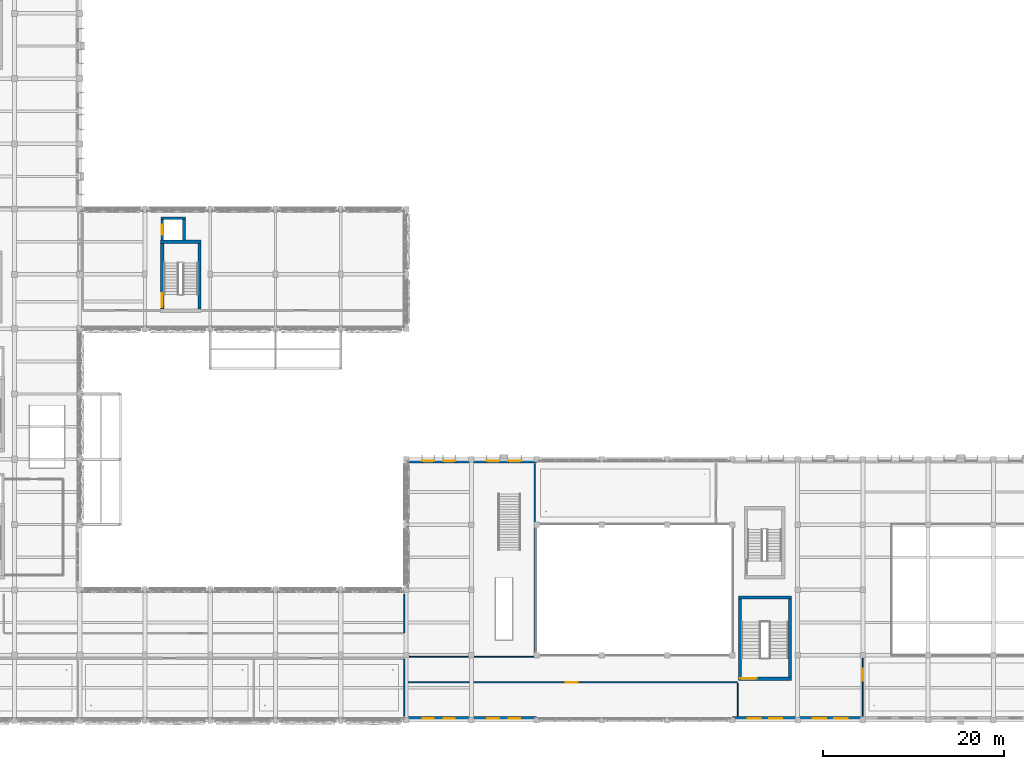
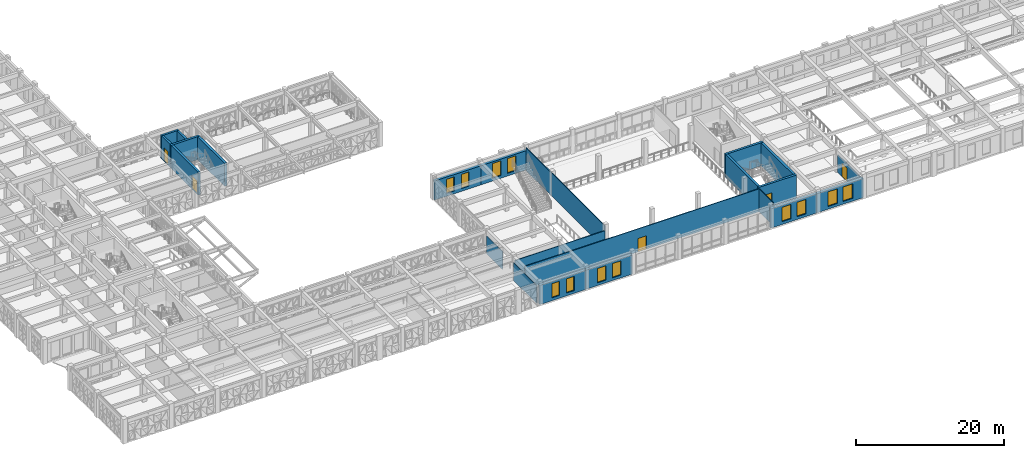
# One storey, part 44 of 88: 23 walls, 12 windows, 5 doors, 17 openings.
"""IFC4 building model written with IfcOpenShell, lengths in metres."""

from ifc_helpers import new_model, si_unit, direction, frame, frame_2d, origin, place, context, subcontext, project, spatial, rectangle, extrude, material, layer, layer_set, type_object, element, fill, save


model = new_model("IFC4")

# Units and contexts
model_context = context("Model", 3, precision=1e-05, world=origin(), true_north=direction((0.0, 1.0)))
body_context = subcontext(model_context, "Body", "Model", "MODEL_VIEW")
ifc_project = project(units=[si_unit("LENGTHUNIT", "METRE"), si_unit("AREAUNIT", "SQUARE_METRE"), si_unit("VOLUMEUNIT", "CUBIC_METRE"), si_unit("PLANEANGLEUNIT", "RADIAN"), si_unit("MASSUNIT", "GRAM", prefix="KILO")], contexts=[model_context])

# Site, building, storey
site_placement = place(None, origin())
site = spatial("IfcSite", under=ifc_project, at=site_placement, CompositionType="ELEMENT")
building_placement = place(site_placement, origin())
building = spatial("IfcBuilding", under=site, at=building_placement, Name="Alvorim Cloister Faculty of Sciences", CompositionType="ELEMENT")
storey_placement = place(building_placement, frame((0.0, 0.0, 4.5)))
storey = spatial("IfcBuildingStorey", under=building, at=storey_placement, Name="L01", CompositionType="ELEMENT", Elevation=4.5)

# Wall, openings, windows
ifc_material_1 = material(Name="Maua Grey Granite Stone", Category="masonry")
ifc_layer_1 = layer(ifc_material_1, 0.419921875)
ifc_layer_set_1 = layer_set([ifc_layer_1], Name="Maua Grey Granite Stone")
wall_type_1 = type_object("IfcWallType", Name="WL-EXT-GRN-420", PredefinedType="SOLIDWALL", material=ifc_layer_set_1)
wall_1_placement = place(storey_placement, frame((64.800048828125, 28.590087890625, 0.0), z_axis=(0.0, 0.0, 1.0), x_axis=(1.0, 0.0, 0.0)))
wall_1 = element("IfcWall", 1, at=wall_1_placement, inside=storey, type_object=wall_type_1, Name="L01 Exterior Wall WL-0128", PredefinedType="SOLIDWALL", context=body_context, shape_type="SweptSolid", body=[
    extrude(rectangle(XDim=7.199951171875, YDim=0.419921875, at=frame_2d((3.60009765625, 0.0))), origin(), (0.0, 0.0, 1.0), 3.159912109375),
])
opening_1_placement = place(wall_1_placement, frame((1.85009765625, 0.0, 0.449951171875)))
opening_1 = element("IfcOpeningElement", 2, at=opening_1_placement, cuts=wall_1, Name="Opening W-22", PredefinedType="OPENING", context=body_context, shape_type="SweptSolid", body=[
    extrude(rectangle(XDim=1.199951171875, YDim=2.35009765625, at=frame_2d((0.60009765625, 1.175048828125))), frame((0.0, 0.221923828125, 0.0), z_axis=(0.0, -1.0, 0.0), x_axis=(1.0, 0.0, 0.0)), (0.0, 0.0, 1.0), 0.44384765625),
])
opening_2_placement = place(wall_1_placement, frame((4.14990234375, 0.0, 0.449951171875)))
opening_2 = element("IfcOpeningElement", 3, at=opening_2_placement, cuts=wall_1, Name="Opening W-22", PredefinedType="OPENING", context=body_context, shape_type="SweptSolid", body=[
    extrude(rectangle(XDim=1.199951171875, YDim=2.35009765625, at=frame_2d((0.60009765625, 1.175048828125))), frame((0.0, 0.221923828125, 0.0), z_axis=(0.0, -1.0, 0.0), x_axis=(1.0, 0.0, 0.0)), (0.0, 0.0, 1.0), 0.44384765625),
])
ifc_material_2 = material(Name="Double Low-E Laminated Glass", Category="glass")
window_type_1 = type_object("IfcWindowType", Name="WN-OFF-1200x2350", PartitioningType="SINGLE_PANEL", PredefinedType="WINDOW", material=ifc_material_2)
window_1_placement = place(opening_1_placement, origin())
window_1 = element("IfcWindow", 4, at=window_1_placement, inside=storey, type_object=window_type_1, Name="L01 Gothic Lancet Window WN-0172", OverallHeight=2.35009765625, OverallWidth=1.199951171875, PartitioningType="SINGLE_PANEL", PredefinedType="WINDOW", context=body_context, shape_type="SweptSolid", body=[
    extrude(rectangle(XDim=1.199951171875, YDim=2.35009765625, at=frame_2d((0.60009765625, 1.175048828125))), frame((0.0, 0.030029296875, 0.0), z_axis=(0.0, -1.0, 0.0), x_axis=(1.0, 0.0, 0.0)), (0.0, 0.0, 1.0), 0.06005859375),
])
fill(opening_1, window_1)
window_2_placement = place(opening_2_placement, origin())
window_2 = element("IfcWindow", 5, at=window_2_placement, inside=storey, type_object=window_type_1, Name="L01 Gothic Lancet Window WN-0173", OverallHeight=2.35009765625, OverallWidth=1.199951171875, PartitioningType="SINGLE_PANEL", PredefinedType="WINDOW", context=body_context, shape_type="SweptSolid", body=[
    extrude(rectangle(XDim=1.199951171875, YDim=2.35009765625, at=frame_2d((0.60009765625, 1.175048828125))), frame((0.0, 0.030029296875, 0.0), z_axis=(0.0, -1.0, 0.0), x_axis=(1.0, 0.0, 0.0)), (0.0, 0.0, 1.0), 0.06005859375),
])
fill(opening_2, window_2)

wall_2_placement = place(storey_placement, frame((72.0, 28.590087890625, 0.0), z_axis=(0.0, 0.0, 1.0), x_axis=(1.0, 0.0, 0.0)))
wall_2 = element("IfcWall", 6, at=wall_2_placement, inside=storey, type_object=wall_type_1, Name="L01 Exterior Wall WL-0129", PredefinedType="SOLIDWALL", context=body_context, shape_type="SweptSolid", body=[
    extrude(rectangle(XDim=7.199951171875, YDim=0.419921875, at=frame_2d((3.60009765625, 0.0))), origin(), (0.0, 0.0, 1.0), 3.159912109375),
])
opening_3_placement = place(wall_2_placement, frame((1.75, 0.0, 0.449951171875)))
opening_3 = element("IfcOpeningElement", 7, at=opening_3_placement, cuts=wall_2, Name="Opening W-18", PredefinedType="OPENING", context=body_context, shape_type="SweptSolid", body=[
    extrude(rectangle(XDim=1.35009765625, YDim=2.449951171875, at=frame_2d((0.675048828125, 1.22509765625))), frame((0.0, 0.221923828125, 0.0), z_axis=(0.0, -1.0, 0.0), x_axis=(1.0, 0.0, 0.0)), (0.0, 0.0, 1.0), 0.44384765625),
])
opening_4_placement = place(wall_2_placement, frame((4.10009765625, 0.0, 0.449951171875)))
opening_4 = element("IfcOpeningElement", 8, at=opening_4_placement, cuts=wall_2, Name="Opening W-18", PredefinedType="OPENING", context=body_context, shape_type="SweptSolid", body=[
    extrude(rectangle(XDim=1.35009765625, YDim=2.449951171875, at=frame_2d((0.675048828125, 1.22509765625))), frame((0.0, 0.221923828125, 0.0), z_axis=(0.0, -1.0, 0.0), x_axis=(1.0, 0.0, 0.0)), (0.0, 0.0, 1.0), 0.44384765625),
])
window_type_2 = type_object("IfcWindowType", Name="WN-LAB-1350x2450", PartitioningType="SINGLE_PANEL", PredefinedType="WINDOW", material=ifc_material_2)
window_3_placement = place(opening_3_placement, origin())
window_3 = element("IfcWindow", 9, at=window_3_placement, inside=storey, type_object=window_type_2, Name="L01 Gothic Lancet Window WN-0174", OverallHeight=2.449951171875, OverallWidth=1.35009765625, PartitioningType="SINGLE_PANEL", PredefinedType="WINDOW", context=body_context, shape_type="SweptSolid", body=[
    extrude(rectangle(XDim=1.35009765625, YDim=2.449951171875, at=frame_2d((0.675048828125, 1.22509765625))), frame((0.0, 0.030029296875, 0.0), z_axis=(0.0, -1.0, 0.0), x_axis=(1.0, 0.0, 0.0)), (0.0, 0.0, 1.0), 0.06005859375),
])
fill(opening_3, window_3)
window_4_placement = place(opening_4_placement, origin())
window_4 = element("IfcWindow", 10, at=window_4_placement, inside=storey, type_object=window_type_2, Name="L01 Gothic Lancet Window WN-0175", OverallHeight=2.449951171875, OverallWidth=1.35009765625, PartitioningType="SINGLE_PANEL", PredefinedType="WINDOW", context=body_context, shape_type="SweptSolid", body=[
    extrude(rectangle(XDim=1.35009765625, YDim=2.449951171875, at=frame_2d((0.675048828125, 1.22509765625))), frame((0.0, 0.030029296875, 0.0), z_axis=(0.0, -1.0, 0.0), x_axis=(1.0, 0.0, 0.0)), (0.0, 0.0, 1.0), 0.06005859375),
])
fill(opening_4, window_4)

wall_3_placement = place(storey_placement, frame((108.0, 0.2099609375, 0.0), z_axis=(0.0, 0.0, 1.0), x_axis=(1.0, 0.0, 0.0)))
wall_3 = element("IfcWall", 11, at=wall_3_placement, inside=storey, type_object=wall_type_1, Name="L01 Exterior Wall WL-0150", PredefinedType="SOLIDWALL", context=body_context, shape_type="SweptSolid", body=[
    extrude(rectangle(XDim=7.199951171875, YDim=0.419921875, at=frame_2d((3.60009765625, 0.0))), origin(), (0.0, 0.0, 1.0), 3.159912109375),
])
opening_5_placement = place(wall_3_placement, frame((1.64990234375, 0.0, 0.449951171875)))
opening_5 = element("IfcOpeningElement", 12, at=opening_5_placement, cuts=wall_3, Name="Opening W-19", PredefinedType="OPENING", context=body_context, shape_type="SweptSolid", body=[
    extrude(rectangle(XDim=1.5, YDim=2.39990234375, at=frame_2d((0.75, 1.199951171875))), frame((0.0, 0.221923828125, 0.0), z_axis=(0.0, -1.0, 0.0), x_axis=(1.0, 0.0, 0.0)), (0.0, 0.0, 1.0), 0.44384765625),
])
opening_6_placement = place(wall_3_placement, frame((4.050048828125, 0.0, 0.449951171875)))
opening_6 = element("IfcOpeningElement", 13, at=opening_6_placement, cuts=wall_3, Name="Opening W-19", PredefinedType="OPENING", context=body_context, shape_type="SweptSolid", body=[
    extrude(rectangle(XDim=1.5, YDim=2.39990234375, at=frame_2d((0.75, 1.199951171875))), frame((0.0, 0.221923828125, 0.0), z_axis=(0.0, -1.0, 0.0), x_axis=(1.0, 0.0, 0.0)), (0.0, 0.0, 1.0), 0.44384765625),
])
window_type_3 = type_object("IfcWindowType", Name="WN-OFF-1500x2400", PartitioningType="SINGLE_PANEL", PredefinedType="WINDOW", material=ifc_material_2)
window_5_placement = place(opening_5_placement, origin())
window_5 = element("IfcWindow", 14, at=window_5_placement, inside=storey, type_object=window_type_3, Name="L01 Gothic Lancet Window WN-0216", OverallHeight=2.39990234375, OverallWidth=1.5, PartitioningType="SINGLE_PANEL", PredefinedType="WINDOW", context=body_context, shape_type="SweptSolid", body=[
    extrude(rectangle(XDim=1.5, YDim=2.39990234375, at=frame_2d((0.75, 1.199951171875))), frame((0.0, 0.030029296875, 0.0), z_axis=(0.0, -1.0, 0.0), x_axis=(1.0, 0.0, 0.0)), (0.0, 0.0, 1.0), 0.06005859375),
])
fill(opening_5, window_5)
window_6_placement = place(opening_6_placement, origin())
window_6 = element("IfcWindow", 15, at=window_6_placement, inside=storey, type_object=window_type_3, Name="L01 Gothic Lancet Window WN-0217", OverallHeight=2.39990234375, OverallWidth=1.5, PartitioningType="SINGLE_PANEL", PredefinedType="WINDOW", context=body_context, shape_type="SweptSolid", body=[
    extrude(rectangle(XDim=1.5, YDim=2.39990234375, at=frame_2d((0.75, 1.199951171875))), frame((0.0, 0.030029296875, 0.0), z_axis=(0.0, -1.0, 0.0), x_axis=(1.0, 0.0, 0.0)), (0.0, 0.0, 1.0), 0.06005859375),
])
fill(opening_6, window_6)

wall_4_placement = place(storey_placement, frame((100.800048828125, 0.2099609375, 0.0), z_axis=(0.0, 0.0, 1.0), x_axis=(1.0, 0.0, 0.0)))
wall_4 = element("IfcWall", 16, at=wall_4_placement, inside=storey, type_object=wall_type_1, Name="L01 Exterior Wall WL-0151", PredefinedType="SOLIDWALL", context=body_context, shape_type="SweptSolid", body=[
    extrude(rectangle(XDim=7.199951171875, YDim=0.419921875, at=frame_2d((3.60009765625, 0.0))), origin(), (0.0, 0.0, 1.0), 3.159912109375),
])
opening_7_placement = place(wall_4_placement, frame((1.716796875, 0.0, 0.449951171875)))
opening_7 = element("IfcOpeningElement", 17, at=opening_7_placement, cuts=wall_4, Name="Opening W-20", PredefinedType="OPENING", context=body_context, shape_type="SweptSolid", body=[
    extrude(rectangle(XDim=1.39990234375, YDim=2.3798828125, at=frame_2d((0.699951171875, 1.18994140625))), frame((0.0, 0.221923828125, 0.0), z_axis=(0.0, -1.0, 0.0), x_axis=(1.0, 0.0, 0.0)), (0.0, 0.0, 1.0), 0.44384765625),
])
opening_8_placement = place(wall_4_placement, frame((4.083251953125, 0.0, 0.449951171875)))
opening_8 = element("IfcOpeningElement", 18, at=opening_8_placement, cuts=wall_4, Name="Opening W-20", PredefinedType="OPENING", context=body_context, shape_type="SweptSolid", body=[
    extrude(rectangle(XDim=1.39990234375, YDim=2.3798828125, at=frame_2d((0.699951171875, 1.18994140625))), frame((0.0, 0.221923828125, 0.0), z_axis=(0.0, -1.0, 0.0), x_axis=(1.0, 0.0, 0.0)), (0.0, 0.0, 1.0), 0.44384765625),
])
window_type_4 = type_object("IfcWindowType", Name="WN-OFF-1400x2380", PartitioningType="SINGLE_PANEL", PredefinedType="WINDOW", material=ifc_material_2)
window_7_placement = place(opening_7_placement, origin())
window_7 = element("IfcWindow", 19, at=window_7_placement, inside=storey, type_object=window_type_4, Name="L01 Gothic Lancet Window WN-0218", OverallHeight=2.3798828125, OverallWidth=1.39990234375, PartitioningType="SINGLE_PANEL", PredefinedType="WINDOW", context=body_context, shape_type="SweptSolid", body=[
    extrude(rectangle(XDim=1.39990234375, YDim=2.3798828125, at=frame_2d((0.699951171875, 1.18994140625))), frame((0.0, 0.030029296875, 0.0), z_axis=(0.0, -1.0, 0.0), x_axis=(1.0, 0.0, 0.0)), (0.0, 0.0, 1.0), 0.06005859375),
])
fill(opening_7, window_7)
window_8_placement = place(opening_8_placement, origin())
window_8 = element("IfcWindow", 20, at=window_8_placement, inside=storey, type_object=window_type_4, Name="L01 Gothic Lancet Window WN-0219", OverallHeight=2.3798828125, OverallWidth=1.39990234375, PartitioningType="SINGLE_PANEL", PredefinedType="WINDOW", context=body_context, shape_type="SweptSolid", body=[
    extrude(rectangle(XDim=1.39990234375, YDim=2.3798828125, at=frame_2d((0.699951171875, 1.18994140625))), frame((0.0, 0.030029296875, 0.0), z_axis=(0.0, -1.0, 0.0), x_axis=(1.0, 0.0, 0.0)), (0.0, 0.0, 1.0), 0.06005859375),
])
fill(opening_8, window_8)

wall_5_placement = place(storey_placement, frame((72.0, 0.2099609375, 0.0), z_axis=(0.0, 0.0, 1.0), x_axis=(1.0, 0.0, 0.0)))
wall_5 = element("IfcWall", 21, at=wall_5_placement, inside=storey, type_object=wall_type_1, Name="L01 Exterior Wall WL-0152", PredefinedType="SOLIDWALL", context=body_context, shape_type="SweptSolid", body=[
    extrude(rectangle(XDim=7.199951171875, YDim=0.419921875, at=frame_2d((3.60009765625, 0.0))), origin(), (0.0, 0.0, 1.0), 3.159912109375),
])
opening_9_placement = place(wall_5_placement, frame((1.783203125, 0.0, 0.449951171875)))
opening_9 = element("IfcOpeningElement", 22, at=opening_9_placement, cuts=wall_5, Name="Opening W-21", PredefinedType="OPENING", context=body_context, shape_type="SweptSolid", body=[
    extrude(rectangle(XDim=1.300048828125, YDim=2.35009765625, at=frame_2d((0.64990234375, 1.175048828125))), frame((0.0, 0.221923828125, 0.0), z_axis=(0.0, -1.0, 0.0), x_axis=(1.0, 0.0, 0.0)), (0.0, 0.0, 1.0), 0.44384765625),
])
opening_10_placement = place(wall_5_placement, frame((4.11669921875, 0.0, 0.449951171875)))
opening_10 = element("IfcOpeningElement", 23, at=opening_10_placement, cuts=wall_5, Name="Opening W-21", PredefinedType="OPENING", context=body_context, shape_type="SweptSolid", body=[
    extrude(rectangle(XDim=1.300048828125, YDim=2.35009765625, at=frame_2d((0.64990234375, 1.175048828125))), frame((0.0, 0.221923828125, 0.0), z_axis=(0.0, -1.0, 0.0), x_axis=(1.0, 0.0, 0.0)), (0.0, 0.0, 1.0), 0.44384765625),
])
window_type_5 = type_object("IfcWindowType", Name="WN-OFF-1300x2350", PartitioningType="SINGLE_PANEL", PredefinedType="WINDOW", material=ifc_material_2)
window_9_placement = place(opening_9_placement, origin())
window_9 = element("IfcWindow", 24, at=window_9_placement, inside=storey, type_object=window_type_5, Name="L01 Gothic Lancet Window WN-0220", OverallHeight=2.35009765625, OverallWidth=1.300048828125, PartitioningType="SINGLE_PANEL", PredefinedType="WINDOW", context=body_context, shape_type="SweptSolid", body=[
    extrude(rectangle(XDim=1.300048828125, YDim=2.35009765625, at=frame_2d((0.64990234375, 1.175048828125))), frame((0.0, 0.030029296875, 0.0), z_axis=(0.0, -1.0, 0.0), x_axis=(1.0, 0.0, 0.0)), (0.0, 0.0, 1.0), 0.06005859375),
])
fill(opening_9, window_9)
window_10_placement = place(opening_10_placement, origin())
window_10 = element("IfcWindow", 25, at=window_10_placement, inside=storey, type_object=window_type_5, Name="L01 Gothic Lancet Window WN-0221", OverallHeight=2.35009765625, OverallWidth=1.300048828125, PartitioningType="SINGLE_PANEL", PredefinedType="WINDOW", context=body_context, shape_type="SweptSolid", body=[
    extrude(rectangle(XDim=1.300048828125, YDim=2.35009765625, at=frame_2d((0.64990234375, 1.175048828125))), frame((0.0, 0.030029296875, 0.0), z_axis=(0.0, -1.0, 0.0), x_axis=(1.0, 0.0, 0.0)), (0.0, 0.0, 1.0), 0.06005859375),
])
fill(opening_10, window_10)

wall_6_placement = place(storey_placement, frame((64.800048828125, 0.2099609375, 0.0), z_axis=(0.0, 0.0, 1.0), x_axis=(1.0, 0.0, 0.0)))
wall_6 = element("IfcWall", 26, at=wall_6_placement, inside=storey, type_object=wall_type_1, Name="L01 Exterior Wall WL-0153", PredefinedType="SOLIDWALL", context=body_context, shape_type="SweptSolid", body=[
    extrude(rectangle(XDim=7.199951171875, YDim=0.419921875, at=frame_2d((3.60009765625, 0.0))), origin(), (0.0, 0.0, 1.0), 3.159912109375),
])
opening_11_placement = place(wall_6_placement, frame((1.85009765625, 0.0, 0.449951171875)))
opening_11 = element("IfcOpeningElement", 27, at=opening_11_placement, cuts=wall_6, Name="Opening W-22", PredefinedType="OPENING", context=body_context, shape_type="SweptSolid", body=[
    extrude(rectangle(XDim=1.199951171875, YDim=2.35009765625, at=frame_2d((0.60009765625, 1.175048828125))), frame((0.0, 0.221923828125, 0.0), z_axis=(0.0, -1.0, 0.0), x_axis=(1.0, 0.0, 0.0)), (0.0, 0.0, 1.0), 0.44384765625),
])
opening_12_placement = place(wall_6_placement, frame((4.14990234375, 0.0, 0.449951171875)))
opening_12 = element("IfcOpeningElement", 28, at=opening_12_placement, cuts=wall_6, Name="Opening W-22", PredefinedType="OPENING", context=body_context, shape_type="SweptSolid", body=[
    extrude(rectangle(XDim=1.199951171875, YDim=2.35009765625, at=frame_2d((0.60009765625, 1.175048828125))), frame((0.0, 0.221923828125, 0.0), z_axis=(0.0, -1.0, 0.0), x_axis=(1.0, 0.0, 0.0)), (0.0, 0.0, 1.0), 0.44384765625),
])
window_11_placement = place(opening_11_placement, origin())
window_11 = element("IfcWindow", 29, at=window_11_placement, inside=storey, type_object=window_type_1, Name="L01 Gothic Lancet Window WN-0222", OverallHeight=2.35009765625, OverallWidth=1.199951171875, PartitioningType="SINGLE_PANEL", PredefinedType="WINDOW", context=body_context, shape_type="SweptSolid", body=[
    extrude(rectangle(XDim=1.199951171875, YDim=2.35009765625, at=frame_2d((0.60009765625, 1.175048828125))), frame((0.0, 0.030029296875, 0.0), z_axis=(0.0, -1.0, 0.0), x_axis=(1.0, 0.0, 0.0)), (0.0, 0.0, 1.0), 0.06005859375),
])
fill(opening_11, window_11)
window_12_placement = place(opening_12_placement, origin())
window_12 = element("IfcWindow", 30, at=window_12_placement, inside=storey, type_object=window_type_1, Name="L01 Gothic Lancet Window WN-0223", OverallHeight=2.35009765625, OverallWidth=1.199951171875, PartitioningType="SINGLE_PANEL", PredefinedType="WINDOW", context=body_context, shape_type="SweptSolid", body=[
    extrude(rectangle(XDim=1.199951171875, YDim=2.35009765625, at=frame_2d((0.60009765625, 1.175048828125))), frame((0.0, 0.030029296875, 0.0), z_axis=(0.0, -1.0, 0.0), x_axis=(1.0, 0.0, 0.0)), (0.0, 0.0, 1.0), 0.06005859375),
])
fill(opening_12, window_12)

# Walls
ifc_material_3 = material(Name="Acoustic Gypsum Stud Partition", Category="gypsum")
ifc_layer_2 = layer(ifc_material_3, 0.1201171875)
ifc_layer_set_2 = layer_set([ifc_layer_2], Name="Acoustic Gypsum Stud Partition")
wall_type_2 = type_object("IfcWallType", Name="WL-PRT-120", PredefinedType="PARTITIONING", material=ifc_layer_set_2)
wall_7_placement = place(storey_placement, frame((64.60009765625, 0.47998046875, 0.0), z_axis=(0.0, 0.0, 1.0), x_axis=(0.0, 1.0, 0.0)))
element("IfcWall", 31, at=wall_7_placement, inside=storey, type_object=wall_type_2, Name="L01 Active Learning Studio 104 Partition IWL-0505", PredefinedType="PARTITIONING", context=body_context, shape_type="SweptSolid", body=[
    extrude(rectangle(XDim=6.239990234375, YDim=0.1201171875, at=frame_2d((3.1201171875, 0.0))), origin(), (0.0, 0.0, 1.0), 2.925048828125),
])
wall_8_placement = place(storey_placement, frame((64.60009765625, 9.679931640625, 0.0), z_axis=(0.0, 0.0, 1.0), x_axis=(0.0, 1.0, 0.0)))
element("IfcWall", 32, at=wall_8_placement, inside=storey, type_object=wall_type_2, Name="L01 Cloister Tutorial Classrooms Partition IWL-0509", PredefinedType="PARTITIONING", context=body_context, shape_type="SweptSolid", body=[
    extrude(rectangle(XDim=4.239990234375, YDim=0.1201171875, at=frame_2d((2.1201171875, 0.0))), origin(), (0.0, 0.0, 1.0), 2.925048828125),
])
wall_9_placement = place(storey_placement, frame((101.39990234375, 0.47998046875, 0.0), z_axis=(0.0, 0.0, 1.0), x_axis=(0.0, 1.0, 0.0)))
element("IfcWall", 33, at=wall_9_placement, inside=storey, type_object=wall_type_2, Name="L01 Atrium South Seminar Suite Partition IWL-0529", PredefinedType="PARTITIONING", context=body_context, shape_type="SweptSolid", body=[
    extrude(rectangle(XDim=3.64013671875, YDim=0.1201171875, at=frame_2d((1.820068359375, 0.0))), origin(), (0.0, 0.0, 1.0), 3.77490234375),
])

# Wall, opening, door
wall_10_placement = place(storey_placement, frame((64.8798828125, 4.199951171875, 0.0), z_axis=(0.0, 0.0, 1.0), x_axis=(1.0, 0.0, 0.0)))
wall_10 = element("IfcWall", 34, at=wall_10_placement, inside=storey, type_object=wall_type_2, Name="L01 Atrium South Seminar Suite Partition IWL-0530", PredefinedType="PARTITIONING", context=body_context, shape_type="SweptSolid", body=[
    extrude(rectangle(XDim=36.440185546875, YDim=0.1201171875, at=frame_2d((18.22021484375, 0.0))), origin(), (0.0, 0.0, 1.0), 3.77490234375),
])
opening_13_placement = place(wall_10_placement, frame((17.56005859375, 0.0, 0.0)))
opening_13 = element("IfcOpeningElement", 35, at=opening_13_placement, cuts=wall_10, Name="Opening D-L01-116", PredefinedType="OPENING", context=body_context, shape_type="SweptSolid", body=[
    extrude(rectangle(XDim=1.320068359375, YDim=2.199951171875, at=frame_2d((0.66015625, 1.10009765625))), frame((0.0, 0.072021484375, 0.0), z_axis=(0.0, -1.0, 0.0), x_axis=(1.0, 0.0, 0.0)), (0.0, 0.0, 1.0), 0.14404296875),
])
ifc_material_4 = material(Name="Solid Acoustic Oak Timber", Category="wood")
door_type_1 = type_object("IfcDoorType", Name="DR-SEM-1320x2200", OperationType="NOTDEFINED", PredefinedType="DOOR", material=ifc_material_4)
door_1_placement = place(opening_13_placement, origin())
door_1 = element("IfcDoor", 36, at=door_1_placement, inside=storey, type_object=door_type_1, Name="Atrium South Seminar Suite Door D-L01-116", OperationType="SINGLE_SWING_RIGHT", OverallHeight=2.199951171875, OverallWidth=1.320068359375, PredefinedType="DOOR", context=body_context, shape_type="SweptSolid", body=[
    extrude(rectangle(XDim=1.320068359375, YDim=2.199951171875, at=frame_2d((0.66015625, 1.10009765625))), frame((0.0, 0.02490234375, 0.0), z_axis=(0.0, -1.0, 0.0), x_axis=(1.0, 0.0, 0.0)), (0.0, 0.0, 1.0), 0.050048828125),
])
fill(opening_13, door_1)

# Walls
wall_11_placement = place(storey_placement, frame((64.8798828125, 7.0, 0.0), z_axis=(0.0, 0.0, 1.0), x_axis=(1.0, 0.0, 0.0)))
element("IfcWall", 37, at=wall_11_placement, inside=storey, type_object=wall_type_2, Name="L01 Atrium West Reading Mezzanine Partition IWL-0531", PredefinedType="PARTITIONING", context=body_context, shape_type="SweptSolid", body=[
    extrude(rectangle(XDim=14.0400390625, YDim=0.1201171875, at=frame_2d((7.02001953125, 0.0))), origin(), (0.0, 0.0, 1.0), 3.02490234375),
])
wall_12_placement = place(storey_placement, frame((79.0, 7.080078125, 0.0), z_axis=(0.0, 0.0, 1.0), x_axis=(0.0, 1.0, 0.0)))
element("IfcWall", 38, at=wall_12_placement, inside=storey, type_object=wall_type_2, Name="L01 Atrium West Reading Mezzanine Partition IWL-0532", PredefinedType="PARTITIONING", context=body_context, shape_type="SweptSolid", body=[
    extrude(rectangle(XDim=21.239990234375, YDim=0.1201171875, at=frame_2d((10.6201171875, 0.0))), origin(), (0.0, 0.0, 1.0), 3.77490234375),
])

# Wall, opening, door
wall_13_placement = place(storey_placement, frame((115.199951171875, 0.47998046875, 0.0), z_axis=(0.0, 0.0, 1.0), x_axis=(0.0, 1.0, 0.0)))
wall_13 = element("IfcWall", 39, at=wall_13_placement, inside=storey, type_object=wall_type_2, Name="L01 Lecture Theatre South Seminar Gallery Partition IWL-0534", PredefinedType="PARTITIONING", context=body_context, shape_type="SweptSolid", body=[
    extrude(rectangle(XDim=6.43994140625, YDim=0.1201171875, at=frame_2d((3.219970703125, 0.0))), origin(), (0.0, 0.0, 1.0), 2.925048828125),
])
opening_14_placement = place(wall_13_placement, frame((3.8798828125, 0.0, 0.0)))
opening_14 = element("IfcOpeningElement", 40, at=opening_14_placement, cuts=wall_13, Name="Opening D-L01-118", PredefinedType="OPENING", context=body_context, shape_type="SweptSolid", body=[
    extrude(rectangle(XDim=1.320068359375, YDim=2.199951171875, at=frame_2d((0.66015625, 1.10009765625))), frame((0.0, 0.072021484375, 0.0), z_axis=(0.0, -1.0, 0.0), x_axis=(1.0, 0.0, 0.0)), (0.0, 0.0, 1.0), 0.14404296875),
])
door_2_placement = place(opening_14_placement, origin())
door_2 = element("IfcDoor", 41, at=door_2_placement, inside=storey, type_object=door_type_1, Name="Lecture Theatre South Seminar Gallery Door D-L01-118", OperationType="SINGLE_SWING_LEFT", OverallHeight=2.199951171875, OverallWidth=1.320068359375, PredefinedType="DOOR", context=body_context, shape_type="SweptSolid", body=[
    extrude(rectangle(XDim=1.320068359375, YDim=2.199951171875, at=frame_2d((0.66015625, 1.10009765625))), frame((0.0, 0.02490234375, 0.0), z_axis=(0.0, -1.0, 0.0), x_axis=(1.0, 0.0, 0.0)), (0.0, 0.0, 1.0), 0.050048828125),
])
fill(opening_14, door_2)

# Wall
ifc_material_5 = material(Name="Concrete C40", Category="concrete")
ifc_layer_3 = layer(ifc_material_5, 0.300048828125)
ifc_layer_set_3 = layer_set([ifc_layer_3], Name="Concrete C40")
wall_type_3 = type_object("IfcWallType", Name="WL-SHR-300", PredefinedType="SHEAR", material=ifc_layer_set_3)
wall_14_placement = place(storey_placement, frame((37.75, 55.39990234375, 0.0), z_axis=(0.0, 0.0, 1.0), x_axis=(1.0, 0.0, 0.0)))
element("IfcWall", 42, at=wall_14_placement, inside=storey, type_object=wall_type_3, Name="L01 Lift LP-04 Shaft Wall IWL-0344", PredefinedType="SHEAR", context=body_context, shape_type="SweptSolid", body=[
    extrude(rectangle(XDim=2.699951171875, YDim=0.300048828125, at=frame_2d((1.35009765625, 0.0))), origin(), (0.0, 0.0, 1.0), 3.7900390625),
])

# Wall, opening, door
wall_15_placement = place(storey_placement, frame((37.89990234375, 52.97998046875, 0.0), z_axis=(0.0, 0.0, 1.0), x_axis=(0.0, 1.0, 0.0)))
wall_15 = element("IfcWall", 43, at=wall_15_placement, inside=storey, type_object=wall_type_3, Name="L01 Lift LP-04 Shaft Wall IWL-0345", PredefinedType="SHEAR", context=body_context, shape_type="SweptSolid", body=[
    extrude(rectangle(XDim=2.27001953125, YDim=0.300048828125, at=frame_2d((1.135009765625, 0.0))), origin(), (0.0, 0.0, 1.0), 3.7900390625),
])
opening_15_placement = place(wall_15_placement, frame((0.5849609375, 0.0, 0.0)))
opening_15 = element("IfcOpeningElement", 44, at=opening_15_placement, cuts=wall_15, Name="Opening LD-045", PredefinedType="OPENING", context=body_context, shape_type="SweptSolid", body=[
    extrude(rectangle(XDim=1.10009765625, YDim=2.199951171875, at=frame_2d((0.550048828125, 1.10009765625))), frame((0.0, 0.162109375, 0.0), z_axis=(0.0, -1.0, 0.0), x_axis=(1.0, 0.0, 0.0)), (0.0, 0.0, 1.0), 0.323974609375),
])
ifc_material_6 = material(Name="Brushed Stainless Steel", Category="steel")
door_type_2 = type_object("IfcDoorType", Name="DR-LFT-1100x2200", OperationType="NOTDEFINED", PredefinedType="DOOR", material=ifc_material_6)
door_3_placement = place(opening_15_placement, origin())
door_3 = element("IfcDoor", 45, at=door_3_placement, inside=storey, type_object=door_type_2, Name="L01 Lift LP-04 Sliding Landing Door LD-045", OperationType="DOUBLE_DOOR_SLIDING", OverallHeight=2.199951171875, OverallWidth=1.10009765625, PredefinedType="DOOR", context=body_context, shape_type="SweptSolid", body=[
    extrude(rectangle(XDim=1.10009765625, YDim=2.199951171875, at=frame_2d((0.550048828125, 1.10009765625))), frame((0.0, 0.02490234375, 0.0), z_axis=(0.0, -1.0, 0.0), x_axis=(1.0, 0.0, 0.0)), (0.0, 0.0, 1.0), 0.050048828125),
])
fill(opening_15, door_3)

# Walls
wall_16_placement = place(storey_placement, frame((40.300048828125, 52.97998046875, 0.0), z_axis=(0.0, 0.0, 1.0), x_axis=(0.0, 1.0, 0.0)))
element("IfcWall", 46, at=wall_16_placement, inside=storey, type_object=wall_type_3, Name="L01 Lift LP-04 Shaft Wall IWL-0346", PredefinedType="SHEAR", context=body_context, shape_type="SweptSolid", body=[
    extrude(rectangle(XDim=2.27001953125, YDim=0.300048828125, at=frame_2d((1.135009765625, 0.0))), origin(), (0.0, 0.0, 1.0), 3.7900390625),
])
ifc_layer_4 = layer(ifc_material_5, 0.360107421875)
ifc_layer_set_4 = layer_set([ifc_layer_4], Name="Concrete C40")
wall_type_4 = type_object("IfcWallType", Name="WL-SHR-360", PredefinedType="SHEAR", material=ifc_layer_set_4)
wall_17_placement = place(storey_placement, frame((37.719970703125, 52.800048828125, 0.0), z_axis=(0.0, 0.0, 1.0), x_axis=(1.0, 0.0, 0.0)))
element("IfcWall", 47, at=wall_17_placement, inside=storey, type_object=wall_type_4, Name="L01 CORE K4 Shear Wall IWL-0138", PredefinedType="SHEAR", context=body_context, shape_type="SweptSolid", body=[
    extrude(rectangle(XDim=4.47998046875, YDim=0.360107421875, at=frame_2d((2.239990234375, 0.0))), origin(), (0.0, 0.0, 1.0), 3.7900390625),
])

# Wall, opening, door
wall_18_placement = place(storey_placement, frame((37.89990234375, 45.3798828125, 0.0), z_axis=(0.0, 0.0, 1.0), x_axis=(0.0, 1.0, 0.0)))
wall_18 = element("IfcWall", 48, at=wall_18_placement, inside=storey, type_object=wall_type_4, Name="L01 CORE K4 Shear Wall IWL-0139", PredefinedType="SHEAR", context=body_context, shape_type="SweptSolid", body=[
    extrude(rectangle(XDim=7.240234375, YDim=0.360107421875, at=frame_2d((3.6201171875, 0.0))), origin(), (0.0, 0.0, 1.0), 3.7900390625),
])
opening_16_placement = place(wall_18_placement, frame((0.219970703125, 0.0, 0.0)))
opening_16 = element("IfcOpeningElement", 49, at=opening_16_placement, cuts=wall_18, Name="Opening SD-K4-L01", PredefinedType="OPENING", context=body_context, shape_type="SweptSolid", body=[
    extrude(rectangle(XDim=1.5, YDim=2.199951171875, at=frame_2d((0.75, 1.10009765625))), frame((0.0, 0.19189453125, 0.0), z_axis=(0.0, -1.0, 0.0), x_axis=(1.0, 0.0, 0.0)), (0.0, 0.0, 1.0), 0.384033203125),
])
ifc_material_7 = material(Name="Galvanised Fire-Rated Steel", Category="steel")
door_type_3 = type_object("IfcDoorType", Name="DR-STR-1500x2200", OperationType="NOTDEFINED", PredefinedType="DOOR", material=ifc_material_7)
door_4_placement = place(opening_16_placement, origin())
door_4 = element("IfcDoor", 50, at=door_4_placement, inside=storey, type_object=door_type_3, Name="L01 Stair ST-04 Fire Door SD-K4-L01", OperationType="DOUBLE_DOOR_SINGLE_SWING", OverallHeight=2.199951171875, OverallWidth=1.5, PredefinedType="DOOR", context=body_context, shape_type="SweptSolid", body=[
    extrude(rectangle(XDim=1.5, YDim=2.199951171875, at=frame_2d((0.75, 1.10009765625))), frame((0.0, 0.02490234375, 0.0), z_axis=(0.0, -1.0, 0.0), x_axis=(1.0, 0.0, 0.0)), (0.0, 0.0, 1.0), 0.050048828125),
])
fill(opening_16, door_4)

# Wall
wall_19_placement = place(storey_placement, frame((42.02001953125, 45.3798828125, 0.0), z_axis=(0.0, 0.0, 1.0), x_axis=(0.0, 1.0, 0.0)))
element("IfcWall", 51, at=wall_19_placement, inside=storey, type_object=wall_type_4, Name="L01 CORE K4 Shear Wall IWL-0140", PredefinedType="SHEAR", context=body_context, shape_type="SweptSolid", body=[
    extrude(rectangle(XDim=7.240234375, YDim=0.360107421875, at=frame_2d((3.6201171875, 0.0))), origin(), (0.0, 0.0, 1.0), 3.7900390625),
])

# Wall, opening, door
wall_20_placement = place(storey_placement, frame((101.4599609375, 4.60009765625, 0.0), z_axis=(0.0, 0.0, 1.0), x_axis=(1.0, 0.0, 0.0)))
wall_20 = element("IfcWall", 52, at=wall_20_placement, inside=storey, type_object=wall_type_4, Name="L01 CORE K7 Shear Wall IWL-0217", PredefinedType="SHEAR", context=body_context, shape_type="SweptSolid", body=[
    extrude(rectangle(XDim=5.880126953125, YDim=0.360107421875, at=frame_2d((2.93994140625, 0.0))), origin(), (0.0, 0.0, 1.0), 3.7900390625),
])
opening_17_placement = place(wall_20_placement, frame((0.219970703125, 0.0, 0.0)))
opening_17 = element("IfcOpeningElement", 53, at=opening_17_placement, cuts=wall_20, Name="Opening SD-K7-L01", PredefinedType="OPENING", context=body_context, shape_type="SweptSolid", body=[
    extrude(rectangle(XDim=1.800048828125, YDim=2.199951171875, at=frame_2d((0.89990234375, 1.10009765625))), frame((0.0, 0.19189453125, 0.0), z_axis=(0.0, -1.0, 0.0), x_axis=(1.0, 0.0, 0.0)), (0.0, 0.0, 1.0), 0.384033203125),
])
door_type_4 = type_object("IfcDoorType", Name="DR-STR-1800x2200", OperationType="NOTDEFINED", PredefinedType="DOOR", material=ifc_material_7)
door_5_placement = place(opening_17_placement, origin())
door_5 = element("IfcDoor", 54, at=door_5_placement, inside=storey, type_object=door_type_4, Name="L01 Stair ST-12 Fire Door SD-K7-L01", OperationType="DOUBLE_DOOR_SINGLE_SWING", OverallHeight=2.199951171875, OverallWidth=1.800048828125, PredefinedType="DOOR", context=body_context, shape_type="SweptSolid", body=[
    extrude(rectangle(XDim=1.800048828125, YDim=2.199951171875, at=frame_2d((0.89990234375, 1.10009765625))), frame((0.0, 0.02490234375, 0.0), z_axis=(0.0, -1.0, 0.0), x_axis=(1.0, 0.0, 0.0)), (0.0, 0.0, 1.0), 0.050048828125),
])
fill(opening_17, door_5)

# Walls
wall_21_placement = place(storey_placement, frame((101.4599609375, 13.550048828125, 0.0), z_axis=(0.0, 0.0, 1.0), x_axis=(1.0, 0.0, 0.0)))
element("IfcWall", 55, at=wall_21_placement, inside=storey, type_object=wall_type_4, Name="L01 CORE K7 Shear Wall IWL-0218", PredefinedType="SHEAR", context=body_context, shape_type="SweptSolid", body=[
    extrude(rectangle(XDim=5.880126953125, YDim=0.360107421875, at=frame_2d((2.93994140625, 0.0))), origin(), (0.0, 0.0, 1.0), 3.7900390625),
])
for number, where, z_axis, x_axis, name in (
    (56, (101.639892578125, 4.780029296875, 0.0), (0.0, 0.0, 1.0), (0.0, 1.0, 0.0), "L01 CORE K7 Shear Wall IWL-0219"),
    (57, (107.159912109375, 4.780029296875, 0.0), (0.0, 0.0, 1.0), (0.0, 1.0, 0.0), "L01 CORE K7 Shear Wall IWL-0220"),
):
    element("IfcWall", number, at=place(storey_placement, frame(where, z_axis=z_axis, x_axis=x_axis)), inside=storey, type_object=wall_type_4, Name=name, PredefinedType="SHEAR", context=body_context, shape_type="SweptSolid", body=[
        extrude(rectangle(XDim=8.590087890625, YDim=0.360107421875, at=frame_2d((4.294921875, 0.0))), origin(), (0.0, 0.0, 1.0), 3.7900390625),
    ])

save(model, "model.ifc")
